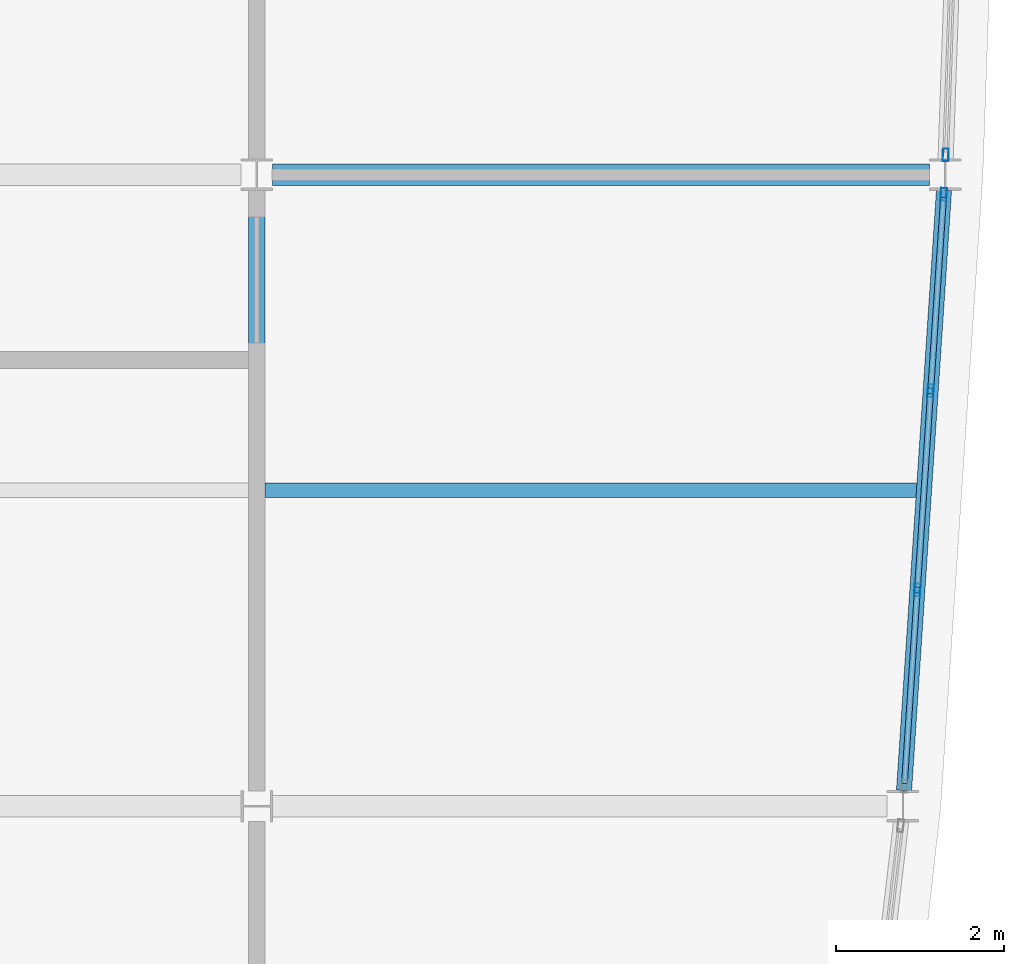
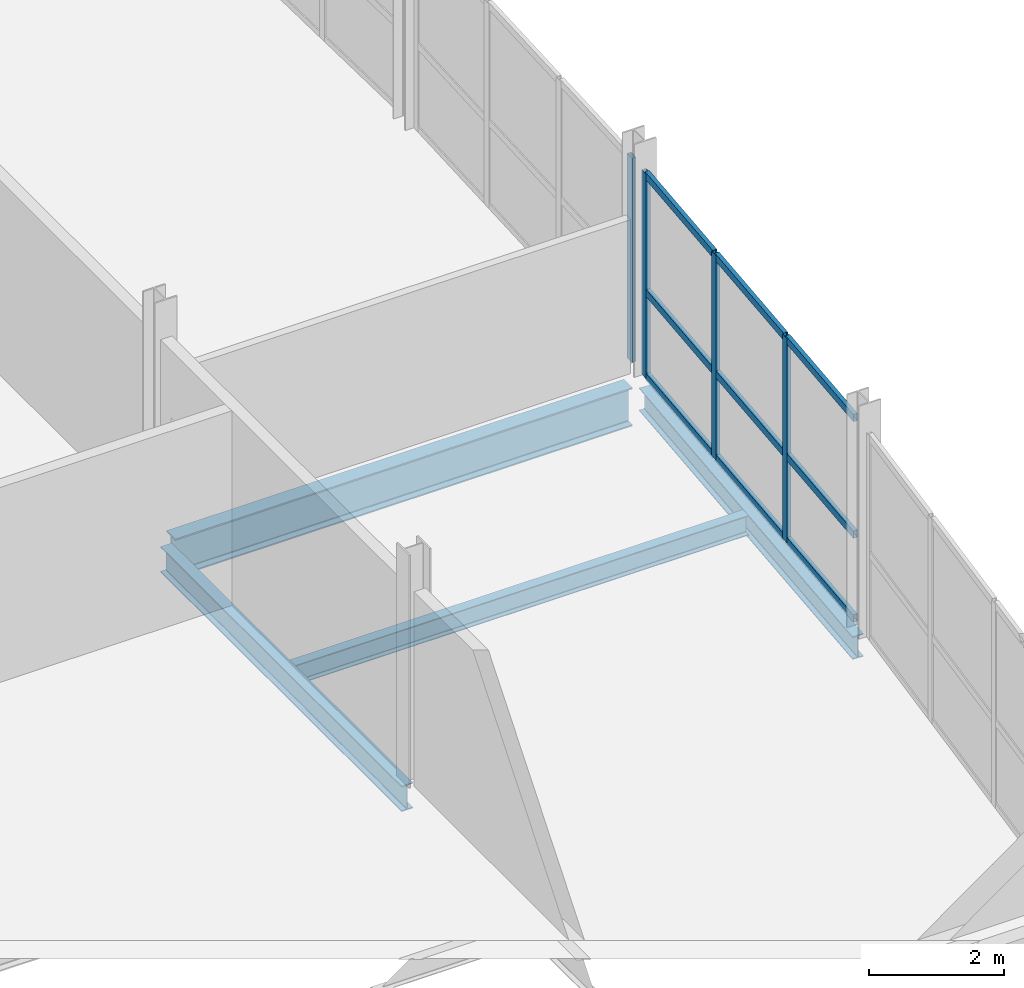
# One storey, part 3 of 20: 13 members, 4 beams, 2 elements without a shape of their own.
"""IFC4 building model written with IfcOpenShell, lengths in metres."""

from ifc_helpers import new_model, si_unit, direction, frame, origin, origin_2d, place, context, subcontext, project, spatial, hollow_rectangle, i_section, extrude, material, layer, layer_set, material_profile, profile_set, type_object, element, aggregate, save


model = new_model("IFC4")

# Units and contexts
model_context = context("Model", 3, precision=1e-05, world=origin(), true_north=direction((0.0, 1.0)))
body_context = subcontext(model_context, "Body", "Model", "MODEL_VIEW")
ifc_project = project(units=[si_unit("LENGTHUNIT", "METRE"), si_unit("AREAUNIT", "SQUARE_METRE"), si_unit("VOLUMEUNIT", "CUBIC_METRE"), si_unit("PLANEANGLEUNIT", "RADIAN"), si_unit("MASSUNIT", "GRAM", prefix="KILO")], contexts=[model_context])

# Site, building, storey
site_placement = place(None, origin())
site = spatial("IfcSite", under=ifc_project, at=site_placement, CompositionType="ELEMENT")
building_placement = place(site_placement, origin())
building = spatial("IfcBuilding", under=site, at=building_placement, Name="Quillay Park Conservatory", CompositionType="ELEMENT")
storey_placement = place(building_placement, frame((0.0, 0.0, 30.89990234375)))
storey = spatial("IfcBuildingStorey", under=building, at=storey_placement, Name="L07", CompositionType="ELEMENT", Elevation=30.89990234375)

# Beam
ifc_material_1 = material(Name="Steel ASTM A992 Grade 50", Category="steel")
ifc_material_profile_1 = material_profile(ifc_material_1, i_section(OverallWidth=0.172119140625, OverallDepth=0.35791015625, WebThickness=0.0078125, FlangeThickness=0.01318359375, FilletRadius=0.010986328125, at=origin_2d()), Name="W360x57")
ifc_profile_set_1 = profile_set([ifc_material_profile_1], Name="Steel ASTM A992 Grade 50")
beam_type_1 = type_object("IfcBeamType", Name="COMPOSITE FLOOR JOIST W360 X57", PredefinedType="JOIST", material=ifc_profile_set_1)
beam_1_placement = place(storey_placement, frame((19.845947265625, 74.25, -0.39892578125), z_axis=(1.0, 0.0, 0.0), x_axis=(0.0, 1.0, 0.0)))
element("IfcBeam", 1, at=beam_1_placement, inside=storey, type_object=beam_type_1, Name="L07 beam BM-J-0550", PredefinedType="JOIST", context=body_context, shape_type="SweptSolid", body=[
    extrude(i_section(OverallWidth=0.172119140625, OverallDepth=0.35791015625, WebThickness=0.0078125, FlangeThickness=0.01318359375, FilletRadius=0.010986328125, at=origin_2d()), origin(), (0.0, 0.0, 1.0), 7.739013671875),
])

# Curtain wall, members
ifc_material_2 = material(Name="Thermally Broken Anodised Aluminium 6063-T6", Category="aluminium")
ifc_layer = layer(ifc_material_2, 0.199951171875)
ifc_layer_set = layer_set([ifc_layer], Name="UNITISED CURTAIN WALL HERBARIUM (Thermally Broken Anodised Aluminium 6063-T6)")
curtain_wall_type = type_object("IfcCurtainWallType", Name="UNITISED CURTAIN WALL HERBARIUM", PredefinedType="USERDEFINED", material=ifc_layer_set)
curtain_wall_1_placement = place(storey_placement, origin())
curtain_wall_1 = element("IfcCurtainWall", 2, at=curtain_wall_1_placement, inside=storey, type_object=curtain_wall_type, Name="L07 Unitised Curtain Wall 069", ObjectType="UNITISED CURTAIN WALL", PredefinedType="USERDEFINED")
ifc_material_3 = material(Name="Thermally Broken Anodised Aluminium 6063-T6", Category="aluminium")
ifc_material_profile_2 = material_profile(ifc_material_3, hollow_rectangle(XDim=0.070068359375, YDim=0.14990234375, WallThickness=0.00341796875, at=origin_2d()), Name="AL70x150x3.5")
ifc_profile_set_2 = profile_set([ifc_material_profile_2], Name="Thermally Broken Anodised Aluminium 6063-T6")
member_type_1 = type_object("IfcMemberType", Name="CURTAIN WALL MULLION 70 X150", PredefinedType="MULLION", material=ifc_profile_set_2)
member_1_placement = place(storey_placement, frame((27.909423828125, 77.765380859375, 0.0), z_axis=(0.0, 0.0, 1.0), x_axis=(0.997785033503, -0.0665208758, 0.0)))
member_1 = element("IfcMember", 3, at=member_1_placement, type_object=member_type_1, Name="CW-T2 mullion 1", PredefinedType="MULLION", context=body_context, shape_type="SweptSolid", body=[
    extrude(hollow_rectangle(XDim=0.070068359375, YDim=0.14990234375, WallThickness=0.00341796875, at=origin_2d()), origin(), (0.0, 0.0, 1.0), 3.68701171875),
])
member_2_placement = place(storey_placement, frame((27.75390625, 75.433349609375, 0.0), z_axis=(0.0, 0.0, 1.0), x_axis=(0.997785033503, -0.0665208758, 0.0)))
member_2 = element("IfcMember", 4, at=member_2_placement, type_object=member_type_1, Name="CW-T2 mullion 2", PredefinedType="MULLION", context=body_context, shape_type="SweptSolid", body=[
    extrude(hollow_rectangle(XDim=0.070068359375, YDim=0.14990234375, WallThickness=0.00341796875, at=origin_2d()), origin(), (0.0, 0.0, 1.0), 3.68701171875),
])
member_3_placement = place(storey_placement, frame((27.59619140625, 73.066650390625, 0.0), z_axis=(0.0, 0.0, 1.0), x_axis=(0.997785033503, -0.0665208758, 0.0)))
member_3 = element("IfcMember", 5, at=member_3_placement, type_object=member_type_1, Name="CW-T2 mullion 3", PredefinedType="MULLION", context=body_context, shape_type="SweptSolid", body=[
    extrude(hollow_rectangle(XDim=0.070068359375, YDim=0.14990234375, WallThickness=0.00341796875, at=origin_2d()), origin(), (0.0, 0.0, 1.0), 3.68701171875),
])

# Curtain wall, member
curtain_wall_2_placement = place(storey_placement, origin())
curtain_wall_2 = element("IfcCurtainWall", 6, at=curtain_wall_2_placement, inside=storey, type_object=curtain_wall_type, Name="L07 Unitised Curtain Wall 070", ObjectType="UNITISED CURTAIN WALL", PredefinedType="USERDEFINED")
member_4_placement = place(storey_placement, frame((27.93310546875, 78.23486328125, 0.0), z_axis=(0.0, 0.0, 1.0), x_axis=(0.999397310446, -0.034713338537, 0.0)))
member_4 = element("IfcMember", 7, at=member_4_placement, type_object=member_type_1, Name="CW-T2 mullion 4", PredefinedType="MULLION", context=body_context, shape_type="SweptSolid", body=[
    extrude(hollow_rectangle(XDim=0.070068359375, YDim=0.14990234375, WallThickness=0.00341796875, at=origin_2d()), origin(), (0.0, 0.0, 1.0), 3.68701171875),
])
aggregate(curtain_wall_2, [member_4])

# Member
ifc_material_4 = material(Name="Thermally Broken Anodised Aluminium 6063-T6", Category="aluminium")
ifc_material_profile_3 = material_profile(ifc_material_4, hollow_rectangle(XDim=0.070068359375, YDim=0.1298828125, WallThickness=0.003173828125, at=origin_2d()), Name="AL70x130x3.2")
ifc_profile_set_3 = profile_set([ifc_material_profile_3], Name="Thermally Broken Anodised Aluminium 6063-T6")
member_type_2 = type_object("IfcMemberType", Name="CURTAIN WALL TRANSOM 70 X130", PredefinedType="USERDEFINED", material=ifc_profile_set_3)
member_5_placement = place(storey_placement, frame((27.906982421875, 77.73046875, 0.03515625), z_axis=(-0.066447531676, -0.997789920542, 0.0), x_axis=(0.997789920542, -0.066447531676, 0.0)))
member_5 = element("IfcMember", 8, at=member_5_placement, type_object=member_type_2, Name="CW-T2 transom 1.1", ObjectType="TRANSOM", PredefinedType="USERDEFINED", context=body_context, shape_type="SweptSolid", body=[
    extrude(hollow_rectangle(XDim=0.070068359375, YDim=0.1298828125, WallThickness=0.003173828125, at=origin_2d()), origin(), (0.0, 0.0, 1.0), 2.26708984375),
])

member_6_placement = place(storey_placement, frame((27.906982421875, 77.73046875, 1.548583984375), z_axis=(-0.066447531676, -0.997789920542, 0.0), x_axis=(0.997789920542, -0.066447531676, 0.0)))
member_6 = element("IfcMember", 9, at=member_6_placement, type_object=member_type_2, Name="CW-T2 transom 1.2", ObjectType="TRANSOM", PredefinedType="USERDEFINED", context=body_context, shape_type="SweptSolid", body=[
    extrude(hollow_rectangle(XDim=0.070068359375, YDim=0.1298828125, WallThickness=0.003173828125, at=origin_2d()), origin(), (0.0, 0.0, 1.0), 2.26708984375),
])

member_7_placement = place(storey_placement, frame((27.906982421875, 77.73046875, 3.652099609375), z_axis=(-0.066447531676, -0.997789920542, 0.0), x_axis=(0.997789920542, -0.066447531676, 0.0)))
member_7 = element("IfcMember", 10, at=member_7_placement, type_object=member_type_2, Name="CW-T2 transom 1.3", ObjectType="TRANSOM", PredefinedType="USERDEFINED", context=body_context, shape_type="SweptSolid", body=[
    extrude(hollow_rectangle(XDim=0.070068359375, YDim=0.1298828125, WallThickness=0.003173828125, at=origin_2d()), origin(), (0.0, 0.0, 1.0), 2.26708984375),
])

member_8_placement = place(storey_placement, frame((27.75146484375, 75.3984375, 0.03515625), z_axis=(-0.066497892916, -0.997786565473, 0.0), x_axis=(0.997786565473, -0.066497892916, 0.0)))
member_8 = element("IfcMember", 11, at=member_8_placement, type_object=member_type_2, Name="CW-T2 transom 2.1", ObjectType="TRANSOM", PredefinedType="USERDEFINED", context=body_context, shape_type="SweptSolid", body=[
    extrude(hollow_rectangle(XDim=0.070068359375, YDim=0.1298828125, WallThickness=0.003173828125, at=origin_2d()), origin(), (0.0, 0.0, 1.0), 2.302001953125),
])

member_9_placement = place(storey_placement, frame((27.75146484375, 75.3984375, 1.548583984375), z_axis=(-0.066497892916, -0.997786565473, 0.0), x_axis=(0.997786565473, -0.066497892916, 0.0)))
member_9 = element("IfcMember", 12, at=member_9_placement, type_object=member_type_2, Name="CW-T2 transom 2.2", ObjectType="TRANSOM", PredefinedType="USERDEFINED", context=body_context, shape_type="SweptSolid", body=[
    extrude(hollow_rectangle(XDim=0.070068359375, YDim=0.1298828125, WallThickness=0.003173828125, at=origin_2d()), origin(), (0.0, 0.0, 1.0), 2.302001953125),
])

member_10_placement = place(storey_placement, frame((27.75146484375, 75.3984375, 3.652099609375), z_axis=(-0.066497892916, -0.997786565473, 0.0), x_axis=(0.997786565473, -0.066497892916, 0.0)))
member_10 = element("IfcMember", 13, at=member_10_placement, type_object=member_type_2, Name="CW-T2 transom 2.3", ObjectType="TRANSOM", PredefinedType="USERDEFINED", context=body_context, shape_type="SweptSolid", body=[
    extrude(hollow_rectangle(XDim=0.070068359375, YDim=0.1298828125, WallThickness=0.003173828125, at=origin_2d()), origin(), (0.0, 0.0, 1.0), 2.302001953125),
])

member_11_placement = place(storey_placement, frame((27.59375, 73.031494140625, 0.03515625), z_axis=(-0.066554749564, -0.997782774611, 0.0), x_axis=(0.997782774611, -0.066554749564, 0.0)))
member_11 = element("IfcMember", 14, at=member_11_placement, type_object=member_type_2, Name="CW-T2 transom 3.1", ObjectType="TRANSOM", PredefinedType="USERDEFINED", context=body_context, shape_type="SweptSolid", body=[
    extrude(hollow_rectangle(XDim=0.070068359375, YDim=0.1298828125, WallThickness=0.003173828125, at=origin_2d()), origin(), (0.0, 0.0, 1.0), 2.26708984375),
])

member_12_placement = place(storey_placement, frame((27.59375, 73.031494140625, 1.548583984375), z_axis=(-0.066554749564, -0.997782774611, 0.0), x_axis=(0.997782774611, -0.066554749564, 0.0)))
member_12 = element("IfcMember", 15, at=member_12_placement, type_object=member_type_2, Name="CW-T2 transom 3.2", ObjectType="TRANSOM", PredefinedType="USERDEFINED", context=body_context, shape_type="SweptSolid", body=[
    extrude(hollow_rectangle(XDim=0.070068359375, YDim=0.1298828125, WallThickness=0.003173828125, at=origin_2d()), origin(), (0.0, 0.0, 1.0), 2.26708984375),
])

member_13_placement = place(storey_placement, frame((27.59375, 73.031494140625, 3.652099609375), z_axis=(-0.066554749564, -0.997782774611, 0.0), x_axis=(0.997782774611, -0.066554749564, 0.0)))
member_13 = element("IfcMember", 16, at=member_13_placement, type_object=member_type_2, Name="CW-T2 transom 3.3", ObjectType="TRANSOM", PredefinedType="USERDEFINED", context=body_context, shape_type="SweptSolid", body=[
    extrude(hollow_rectangle(XDim=0.070068359375, YDim=0.1298828125, WallThickness=0.003173828125, at=origin_2d()), origin(), (0.0, 0.0, 1.0), 2.26708984375),
])

aggregate(curtain_wall_1, [member_1, member_2, member_3, member_5, member_6, member_7, member_8, member_9, member_10, member_11, member_12, member_13])

# Beams
ifc_material_5 = material(Name="Steel ASTM A992 Grade 50", Category="steel")
ifc_material_profile_4 = material_profile(ifc_material_5, i_section(OverallWidth=0.179931640625, OverallDepth=0.4130859375, WebThickness=0.009765625, FlangeThickness=0.01611328125, FilletRadius=0.011962890625, at=origin_2d()), Name="W410x74")
ifc_profile_set_4 = profile_set([ifc_material_profile_4], Name="Steel ASTM A992 Grade 50")
beam_type_2 = type_object("IfcBeamType", Name="PERIMETER SPANDREL BEAM W410 X74", PredefinedType="SPANDREL", material=ifc_profile_set_4)
beam_2_placement = place(storey_placement, frame((27.4375, 70.685546875, -0.426513671875), z_axis=(0.066496330788, 0.99778666958, 0.0), x_axis=(-0.99778666958, 0.066496330788, 0.0)))
element("IfcBeam", 17, at=beam_2_placement, inside=storey, type_object=beam_type_2, Name="L07 beam BM-SPE-0546", PredefinedType="SPANDREL", context=body_context, shape_type="SweptSolid", body=[
    extrude(i_section(OverallWidth=0.179931640625, OverallDepth=0.4130859375, WebThickness=0.009765625, FlangeThickness=0.01611328125, FilletRadius=0.011962890625, at=origin_2d()), origin(), (0.0, 0.0, 1.0), 7.144775390625),
])
ifc_material_6 = material(Name="Steel ASTM A992 Grade 50", Category="steel")
ifc_material_profile_5 = material_profile(ifc_material_6, i_section(OverallWidth=0.19189453125, OverallDepth=0.462890625, WebThickness=0.010498046875, FlangeThickness=0.017578125, FilletRadius=0.012939453125, at=origin_2d()), Name="W460x89")
ifc_profile_set_5 = profile_set([ifc_material_profile_5], Name="Steel ASTM A992 Grade 50")
beam_type_3 = type_object("IfcBeamType", Name="PRIMARY FLOOR GIRDER W460 X89", PredefinedType="BEAM", material=ifc_profile_set_5)
beam_3_placement = place(storey_placement, frame((19.75, 70.68701171875, -0.451416015625), z_axis=(0.0, 1.0, 0.0), x_axis=(-1.0, 0.0, 0.0)))
element("IfcBeam", 18, at=beam_3_placement, inside=storey, type_object=beam_type_3, Name="L07 beam BM-GNS-0548", PredefinedType="BEAM", context=body_context, shape_type="SweptSolid", body=[
    extrude(i_section(OverallWidth=0.19189453125, OverallDepth=0.462890625, WebThickness=0.010498046875, FlangeThickness=0.017578125, FilletRadius=0.012939453125, at=origin_2d()), origin(), (0.0, 0.0, 1.0), 7.126953125),
])
ifc_material_7 = material(Name="Steel ASTM A992 Grade 50", Category="steel")
ifc_material_profile_6 = material_profile(ifc_material_7, i_section(OverallWidth=0.256103515625, OverallDepth=0.693115234375, WebThickness=0.014404296875, FlangeThickness=0.023681640625, FilletRadius=0.01611328125, at=origin_2d()), Name="W690x170")
ifc_profile_set_6 = profile_set([ifc_material_profile_6], Name="Steel ASTM A992 Grade 50")
beam_type_4 = type_object("IfcBeamType", Name="PRIMARY FLOOR GIRDER W690 X170", PredefinedType="BEAM", material=ifc_profile_set_6)
beam_4_placement = place(storey_placement, frame((19.93701171875, 78.0, -0.56640625), z_axis=(1.0, 0.0, 0.0), x_axis=(0.0, 1.0, 0.0)))
element("IfcBeam", 19, at=beam_4_placement, inside=storey, type_object=beam_type_4, Name="L07 beam BM-HB-0524", PredefinedType="BEAM", context=body_context, shape_type="SweptSolid", body=[
    extrude(i_section(OverallWidth=0.256103515625, OverallDepth=0.693115234375, WebThickness=0.014404296875, FlangeThickness=0.023681640625, FilletRadius=0.01611328125, at=origin_2d()), origin(), (0.0, 0.0, 1.0), 7.801025390625),
])

save(model, "model.ifc")
